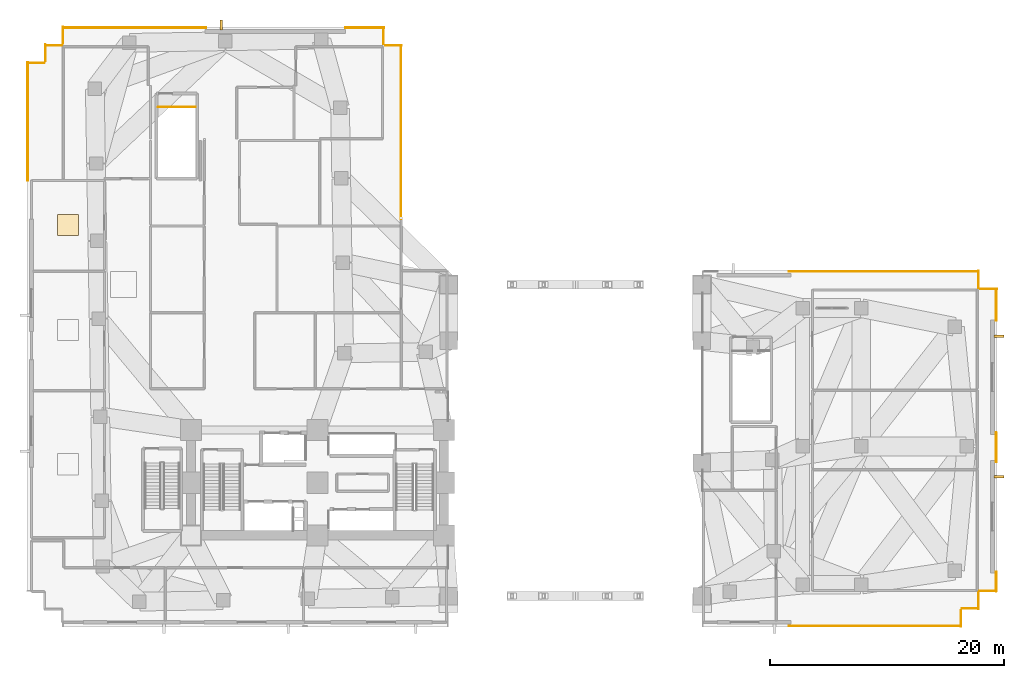
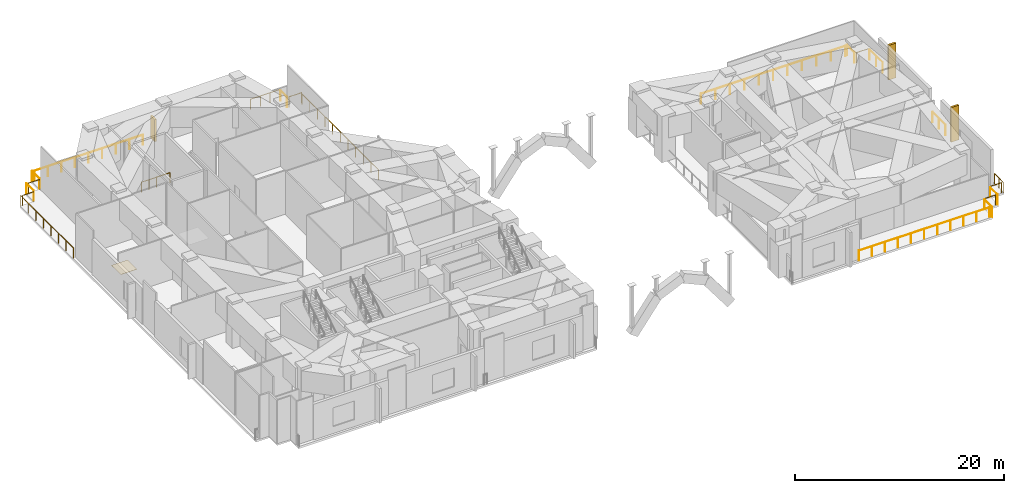
# One storey, part 15 of 15: 23 railings, 3 shading devices, 1 covering.
"""IFC4 building model written with IfcOpenShell, lengths in metres."""

from ifc_helpers import new_model, si_unit, direction, frame, origin, origin_2d, place, context, subcontext, project, spatial, rectangle, circle, extrude, material, layer, layer_set, type_object, element, save


model = new_model("IFC4")

# Units and contexts
model_context = context("Model", 3, precision=1e-05, world=origin(), true_north=direction((0.0, 1.0)))
body_context = subcontext(model_context, "Body", "Model", "MODEL_VIEW")
ifc_project = project(units=[si_unit("LENGTHUNIT", "METRE"), si_unit("AREAUNIT", "SQUARE_METRE"), si_unit("VOLUMEUNIT", "CUBIC_METRE"), si_unit("PLANEANGLEUNIT", "RADIAN"), si_unit("MASSUNIT", "GRAM", prefix="KILO")], contexts=[model_context])

# Site, building, storey
site_placement = place(None, origin())
site = spatial("IfcSite", under=ifc_project, at=site_placement, CompositionType="ELEMENT")
building_placement = place(site_placement, origin())
building = spatial("IfcBuilding", under=site, at=building_placement, Name="Gaonmaruhae Medical Tower", CompositionType="ELEMENT")
storey_placement = place(building_placement, frame((0.0, 0.0, 21.60009765625)))
storey = spatial("IfcBuildingStorey", under=building, at=storey_placement, Name="L04", CompositionType="ELEMENT", Elevation=21.60009765625)

# Covering
ifc_material_1 = material(Name="Seamless clinical vinyl flooring", Category="finish")
ifc_layer_1 = layer(ifc_material_1, 0.014892578125)
ifc_layer_set_1 = layer_set([ifc_layer_1], Name="Seamless clinical vinyl flooring")
covering_type = type_object("IfcCoveringType", Name="FLR-01 Seamless Clinical Antistatic Vinyl Flooring", PredefinedType="FLOORING", material=ifc_layer_set_1)
covering_placement = place(storey_placement, frame((3.510009765625, 34.300048828125, 0.0), z_axis=(0.0, 0.0, 1.0), x_axis=(1.0, 0.0, 0.0)))
element("IfcCovering", 1, at=covering_placement, inside=storey, type_object=covering_type, Name="L04 Clinical Room Vinyl Flooring 4", PredefinedType="FLOORING", context=body_context, shape_type="SweptSolid", body=[
    extrude(rectangle(XDim=1.800048828125, YDim=1.800048828125, at=origin_2d()), origin(), (0.0, 0.0, 1.0), 0.014892578125),
])

# Railings
ifc_material_2 = material(Name="Stainless steel 316L and laminated safety glass", Category="steel")
ifc_layer_2 = layer(ifc_material_2, 0.080078125)
ifc_layer_set_2 = layer_set([ifc_layer_2], Name="Stainless steel 316L and laminated safety glass")
railing_type_1 = type_object("IfcRailingType", Name="GD-120 Outdoor Terrace Safety Glass & Steel Balustrade", PredefinedType="BALUSTRADE", material=ifc_layer_set_2)
railing_1_placement = place(storey_placement, frame((0.070068359375, 38.07568359375, 0.0)))
element("IfcRailing", 2, at=railing_1_placement, inside=storey, type_object=railing_type_1, Name="L04 Perimeter Slab Edge Safety Balustrade 03", PredefinedType="BALUSTRADE", context=body_context, shape_type="SweptSolid", body=[
    extrude(circle(Radius=0.02392578125, at=origin_2d()), frame((0.0, 0.0, 1.17578125), z_axis=(0.0, 1.0, 0.0), x_axis=(-1.0, 0.0, 0.0)), (0.0, 0.0, 1.0), 10.104248046875),
    extrude(circle(Radius=0.02099609375, at=origin_2d()), origin(), (0.0, 0.0, 1.0), 1.15185546875),
    extrude(circle(Radius=0.02099609375, at=origin_2d()), frame((0.0, 1.443359375, 0.0)), (0.0, 0.0, 1.0), 1.15185546875),
    extrude(circle(Radius=0.02099609375, at=origin_2d()), frame((0.0, 2.886962890625, 0.0)), (0.0, 0.0, 1.0), 1.15185546875),
    extrude(circle(Radius=0.02099609375, at=origin_2d()), frame((0.0, 4.330322265625, 0.0)), (0.0, 0.0, 1.0), 1.15185546875),
    extrude(circle(Radius=0.02099609375, at=origin_2d()), frame((0.0, 5.77392578125, 0.0)), (0.0, 0.0, 1.0), 1.15185546875),
    extrude(circle(Radius=0.02099609375, at=origin_2d()), frame((0.0, 7.21728515625, 0.0)), (0.0, 0.0, 1.0), 1.15185546875),
    extrude(circle(Radius=0.02099609375, at=origin_2d()), frame((0.0, 8.660888671875, 0.0)), (0.0, 0.0, 1.0), 1.15185546875),
    extrude(circle(Radius=0.02099609375, at=origin_2d()), frame((0.0, 10.104248046875, 0.0)), (0.0, 0.0, 1.0), 1.15185546875),
])
railing_2_placement = place(storey_placement, frame((0.25341796875, 48.1298828125, 0.0)))
element("IfcRailing", 3, at=railing_2_placement, inside=storey, type_object=railing_type_1, Name="L04 Perimeter Slab Edge Safety Balustrade 04", PredefinedType="BALUSTRADE", context=body_context, shape_type="SweptSolid", body=[
    extrude(circle(Radius=0.02392578125, at=origin_2d()), frame((0.0, 0.0, 1.17578125), z_axis=(1.0, 0.0, 0.0), x_axis=(0.0, 1.0, 0.0)), (0.0, 0.0, 1.0), 1.2265625),
    extrude(circle(Radius=0.02099609375, at=origin_2d()), origin(), (0.0, 0.0, 1.0), 1.15185546875),
    extrude(circle(Radius=0.02099609375, at=origin_2d()), frame((1.2265625, 0.0, 0.0)), (0.0, 0.0, 1.0), 1.15185546875),
])
railing_3_placement = place(storey_placement, frame((1.570068359375, 48.28662109375, 0.0)))
element("IfcRailing", 4, at=railing_3_placement, inside=storey, type_object=railing_type_1, Name="L04 Perimeter Slab Edge Safety Balustrade 05", PredefinedType="BALUSTRADE", context=body_context, shape_type="SweptSolid", body=[
    extrude(circle(Radius=0.02392578125, at=origin_2d()), frame((0.0, 0.0, 1.17578125), z_axis=(0.0, 1.0, 0.0), x_axis=(-1.0, 0.0, 0.0)), (0.0, 0.0, 1.0), 1.393310546875),
    extrude(circle(Radius=0.02099609375, at=origin_2d()), origin(), (0.0, 0.0, 1.0), 1.15185546875),
    extrude(circle(Radius=0.02099609375, at=origin_2d()), frame((0.0, 1.393310546875, 0.0)), (0.0, 0.0, 1.0), 1.15185546875),
])
railing_4_placement = place(storey_placement, frame((1.75341796875, 49.6298828125, 0.0)))
element("IfcRailing", 5, at=railing_4_placement, inside=storey, type_object=railing_type_1, Name="L04 Perimeter Slab Edge Safety Balustrade 06", PredefinedType="BALUSTRADE", context=body_context, shape_type="SweptSolid", body=[
    extrude(circle(Radius=0.02392578125, at=origin_2d()), frame((0.0, 0.0, 1.17578125), z_axis=(1.0, 0.0, 0.0), x_axis=(0.0, 1.0, 0.0)), (0.0, 0.0, 1.0), 1.2265625),
    extrude(circle(Radius=0.02099609375, at=origin_2d()), origin(), (0.0, 0.0, 1.0), 1.15185546875),
    extrude(circle(Radius=0.02099609375, at=origin_2d()), frame((1.2265625, 0.0, 0.0)), (0.0, 0.0, 1.0), 1.15185546875),
])
railing_5_placement = place(storey_placement, frame((3.070068359375, 49.78662109375, 0.0)))
element("IfcRailing", 6, at=railing_5_placement, inside=storey, type_object=railing_type_1, Name="L04 Perimeter Slab Edge Safety Balustrade 07", PredefinedType="BALUSTRADE", context=body_context, shape_type="SweptSolid", body=[
    extrude(circle(Radius=0.02392578125, at=origin_2d()), frame((0.0, 0.0, 1.17578125), z_axis=(0.0, 1.0, 0.0), x_axis=(-1.0, 0.0, 0.0)), (0.0, 0.0, 1.0), 1.393310546875),
    extrude(circle(Radius=0.02099609375, at=origin_2d()), origin(), (0.0, 0.0, 1.0), 1.15185546875),
    extrude(circle(Radius=0.02099609375, at=origin_2d()), frame((0.0, 1.393310546875, 0.0)), (0.0, 0.0, 1.0), 1.15185546875),
])
railing_6_placement = place(storey_placement, frame((3.279541015625, 51.1298828125, 0.0)))
element("IfcRailing", 7, at=railing_6_placement, inside=storey, type_object=railing_type_1, Name="L04 Perimeter Slab Edge Safety Balustrade 08", PredefinedType="BALUSTRADE", context=body_context, shape_type="SweptSolid", body=[
    extrude(circle(Radius=0.02392578125, at=origin_2d()), frame((0.0, 0.0, 1.17578125), z_axis=(1.0, 0.0, 0.0), x_axis=(0.0, 1.0, 0.0)), (0.0, 0.0, 1.0), 12.022705078125),
    extrude(circle(Radius=0.02099609375, at=origin_2d()), origin(), (0.0, 0.0, 1.0), 1.15185546875),
    extrude(circle(Radius=0.02099609375, at=origin_2d()), frame((1.5029296875, 0.0, 0.0)), (0.0, 0.0, 1.0), 1.15185546875),
    extrude(circle(Radius=0.02099609375, at=origin_2d()), frame((3.005615234375, 0.0, 0.0)), (0.0, 0.0, 1.0), 1.15185546875),
    extrude(circle(Radius=0.02099609375, at=origin_2d()), frame((4.508544921875, 0.0, 0.0)), (0.0, 0.0, 1.0), 1.15185546875),
    extrude(circle(Radius=0.02099609375, at=origin_2d()), frame((6.01123046875, 0.0, 0.0)), (0.0, 0.0, 1.0), 1.15185546875),
    extrude(circle(Radius=0.02099609375, at=origin_2d()), frame((7.51416015625, 0.0, 0.0)), (0.0, 0.0, 1.0), 1.15185546875),
    extrude(circle(Radius=0.02099609375, at=origin_2d()), frame((9.01708984375, 0.0, 0.0)), (0.0, 0.0, 1.0), 1.15185546875),
    extrude(circle(Radius=0.02099609375, at=origin_2d()), frame((10.519775390625, 0.0, 0.0)), (0.0, 0.0, 1.0), 1.15185546875),
    extrude(circle(Radius=0.02099609375, at=origin_2d()), frame((12.022705078125, 0.0, 0.0)), (0.0, 0.0, 1.0), 1.15185546875),
])
railing_7_placement = place(storey_placement, frame((27.184814453125, 51.1298828125, 0.0)))
element("IfcRailing", 8, at=railing_7_placement, inside=storey, type_object=railing_type_1, Name="L04 Perimeter Slab Edge Safety Balustrade 09", PredefinedType="BALUSTRADE", context=body_context, shape_type="SweptSolid", body=[
    extrude(circle(Radius=0.02392578125, at=origin_2d()), frame((0.0, 0.0, 1.17578125), z_axis=(1.0, 0.0, 0.0), x_axis=(0.0, 1.0, 0.0)), (0.0, 0.0, 1.0), 3.295166015625),
    extrude(circle(Radius=0.02099609375, at=origin_2d()), origin(), (0.0, 0.0, 1.0), 1.15185546875),
    extrude(circle(Radius=0.02099609375, at=origin_2d()), frame((1.098388671875, 0.0, 0.0)), (0.0, 0.0, 1.0), 1.15185546875),
    extrude(circle(Radius=0.02099609375, at=origin_2d()), frame((2.19677734375, 0.0, 0.0)), (0.0, 0.0, 1.0), 1.15185546875),
    extrude(circle(Radius=0.02099609375, at=origin_2d()), frame((3.295166015625, 0.0, 0.0)), (0.0, 0.0, 1.0), 1.15185546875),
])
railing_8_placement = place(storey_placement, frame((30.429931640625, 50.94677734375, 0.0)))
element("IfcRailing", 9, at=railing_8_placement, inside=storey, type_object=railing_type_1, Name="L04 Perimeter Slab Edge Safety Balustrade 10", PredefinedType="BALUSTRADE", context=body_context, shape_type="SweptSolid", body=[
    extrude(circle(Radius=0.02392578125, at=origin_2d()), frame((0.0, 0.0, 1.17578125), z_axis=(0.0, -1.0, 0.0), x_axis=(1.0, 0.0, 0.0)), (0.0, 0.0, 1.0), 1.226806640625),
    extrude(circle(Radius=0.02099609375, at=origin_2d()), origin(), (0.0, 0.0, 1.0), 1.15185546875),
    extrude(circle(Radius=0.02099609375, at=origin_2d()), frame((0.0, -1.226806640625, 0.0)), (0.0, 0.0, 1.0), 1.15185546875),
])
railing_9_placement = place(storey_placement, frame((30.586669921875, 49.6298828125, 0.0)))
element("IfcRailing", 10, at=railing_9_placement, inside=storey, type_object=railing_type_1, Name="L04 Perimeter Slab Edge Safety Balustrade 11", PredefinedType="BALUSTRADE", context=body_context, shape_type="SweptSolid", body=[
    extrude(circle(Radius=0.02392578125, at=origin_2d()), frame((0.0, 0.0, 1.17578125), z_axis=(1.0, 0.0, 0.0), x_axis=(0.0, 1.0, 0.0)), (0.0, 0.0, 1.0), 1.393310546875),
    extrude(circle(Radius=0.02099609375, at=origin_2d()), origin(), (0.0, 0.0, 1.0), 1.15185546875),
    extrude(circle(Radius=0.02099609375, at=origin_2d()), frame((1.393310546875, 0.0, 0.0)), (0.0, 0.0, 1.0), 1.15185546875),
])
railing_10_placement = place(storey_placement, frame((31.929931640625, 49.422607421875, 0.0)))
element("IfcRailing", 11, at=railing_10_placement, inside=storey, type_object=railing_type_1, Name="L04 Perimeter Slab Edge Safety Balustrade 12", PredefinedType="BALUSTRADE", context=body_context, shape_type="SweptSolid", body=[
    extrude(circle(Radius=0.02392578125, at=origin_2d()), frame((0.0, 0.0, 1.17578125), z_axis=(0.0, -1.0, 0.0), x_axis=(1.0, 0.0, 0.0)), (0.0, 0.0, 1.0), 14.635009765625),
    extrude(circle(Radius=0.02099609375, at=origin_2d()), origin(), (0.0, 0.0, 1.0), 1.15185546875),
    extrude(circle(Radius=0.02099609375, at=origin_2d()), frame((0.0, -1.46337890625, 0.0)), (0.0, 0.0, 1.0), 1.15185546875),
    extrude(circle(Radius=0.02099609375, at=origin_2d()), frame((0.0, -2.927001953125, 0.0)), (0.0, 0.0, 1.0), 1.15185546875),
    extrude(circle(Radius=0.02099609375, at=origin_2d()), frame((0.0, -4.390625, 0.0)), (0.0, 0.0, 1.0), 1.15185546875),
    extrude(circle(Radius=0.02099609375, at=origin_2d()), frame((0.0, -5.85400390625, 0.0)), (0.0, 0.0, 1.0), 1.15185546875),
    extrude(circle(Radius=0.02099609375, at=origin_2d()), frame((0.0, -7.3173828125, 0.0)), (0.0, 0.0, 1.0), 1.15185546875),
    extrude(circle(Radius=0.02099609375, at=origin_2d()), frame((0.0, -8.781005859375, 0.0)), (0.0, 0.0, 1.0), 1.15185546875),
    extrude(circle(Radius=0.02099609375, at=origin_2d()), frame((0.0, -10.24462890625, 0.0)), (0.0, 0.0, 1.0), 1.15185546875),
    extrude(circle(Radius=0.02099609375, at=origin_2d()), frame((0.0, -11.7080078125, 0.0)), (0.0, 0.0, 1.0), 1.15185546875),
    extrude(circle(Radius=0.02099609375, at=origin_2d()), frame((0.0, -13.17138671875, 0.0)), (0.0, 0.0, 1.0), 1.15185546875),
    extrude(circle(Radius=0.02099609375, at=origin_2d()), frame((0.0, -14.635009765625, 0.0)), (0.0, 0.0, 1.0), 1.15185546875),
])
railing_11_placement = place(storey_placement, frame((81.22998046875, 30.3798828125, 0.0)))
element("IfcRailing", 12, at=railing_11_placement, inside=storey, type_object=railing_type_1, Name="L04 Perimeter Slab Edge Safety Balustrade 24", PredefinedType="BALUSTRADE", context=body_context, shape_type="SweptSolid", body=[
    extrude(circle(Radius=0.02392578125, at=origin_2d()), frame((0.0, 0.0, 1.17578125), z_axis=(0.0, -1.0, 0.0), x_axis=(1.0, 0.0, 0.0)), (0.0, 0.0, 1.0), 1.4599609375),
    extrude(circle(Radius=0.02099609375, at=origin_2d()), origin(), (0.0, 0.0, 1.0), 1.15185546875),
    extrude(circle(Radius=0.02099609375, at=origin_2d()), frame((0.0, -1.4599609375, 0.0)), (0.0, 0.0, 1.0), 1.15185546875),
])
railing_12_placement = place(storey_placement, frame((81.38671875, 28.830078125, 0.0)))
element("IfcRailing", 13, at=railing_12_placement, inside=storey, type_object=railing_type_1, Name="L04 Perimeter Slab Edge Safety Balustrade 25", PredefinedType="BALUSTRADE", context=body_context, shape_type="SweptSolid", body=[
    extrude(circle(Radius=0.02392578125, at=origin_2d()), frame((0.0, 0.0, 1.17578125), z_axis=(1.0, 0.0, 0.0), x_axis=(0.0, 1.0, 0.0)), (0.0, 0.0, 1.0), 1.393310546875),
    extrude(circle(Radius=0.02099609375, at=origin_2d()), origin(), (0.0, 0.0, 1.0), 1.15185546875),
    extrude(circle(Radius=0.02099609375, at=origin_2d()), frame((1.393310546875, 0.0, 0.0)), (0.0, 0.0, 1.0), 1.15185546875),
])
for number, where, name in (
    (14, (82.72998046875, 28.620361328125, 0.0), "L04 Perimeter Slab Edge Safety Balustrade 26"),
    (15, (82.72998046875, 16.569580078125, 0.0), "L04 Perimeter Slab Edge Safety Balustrade 27"),
):
    element("IfcRailing", number, at=place(storey_placement, frame(where)), inside=storey, type_object=railing_type_1, Name=name, PredefinedType="BALUSTRADE", context=body_context, shape_type="SweptSolid", body=[
        extrude(circle(Radius=0.02392578125, at=origin_2d()), frame((0.0, 0.0, 1.17578125), z_axis=(0.0, -1.0, 0.0), x_axis=(1.0, 0.0, 0.0)), (0.0, 0.0, 1.0), 2.498291015625),
        extrude(circle(Radius=0.02099609375, at=origin_2d()), origin(), (0.0, 0.0, 1.0), 1.15185546875),
        extrude(circle(Radius=0.02099609375, at=origin_2d()), frame((0.0, -1.2490234375, 0.0)), (0.0, 0.0, 1.0), 1.15185546875),
        extrude(circle(Radius=0.02099609375, at=origin_2d()), frame((0.0, -2.498291015625, 0.0)), (0.0, 0.0, 1.0), 1.15185546875),
    ])
railing_13_placement = place(storey_placement, frame((82.72998046875, 4.69873046875, 0.0)))
element("IfcRailing", 16, at=railing_13_placement, inside=storey, type_object=railing_type_1, Name="L04 Perimeter Slab Edge Safety Balustrade 28", PredefinedType="BALUSTRADE", context=body_context, shape_type="SweptSolid", body=[
    extrude(circle(Radius=0.02392578125, at=origin_2d()), frame((0.0, 0.0, 1.17578125), z_axis=(0.0, -1.0, 0.0), x_axis=(1.0, 0.0, 0.0)), (0.0, 0.0, 1.0), 1.6787109375),
    extrude(circle(Radius=0.02099609375, at=origin_2d()), origin(), (0.0, 0.0, 1.0), 1.15185546875),
    extrude(circle(Radius=0.02099609375, at=origin_2d()), frame((0.0, -0.83935546875, 0.0)), (0.0, 0.0, 1.0), 1.15185546875),
    extrude(circle(Radius=0.02099609375, at=origin_2d()), frame((0.0, -1.6787109375, 0.0)), (0.0, 0.0, 1.0), 1.15185546875),
])
railing_14_placement = place(storey_placement, frame((82.546630859375, 3.070068359375, 0.0)))
element("IfcRailing", 17, at=railing_14_placement, inside=storey, type_object=railing_type_1, Name="L04 Perimeter Slab Edge Safety Balustrade 29", PredefinedType="BALUSTRADE", context=body_context, shape_type="SweptSolid", body=[
    extrude(circle(Radius=0.02392578125, at=origin_2d()), frame((0.0, 0.0, 1.17578125), z_axis=(-1.0, 0.0, 0.0), x_axis=(0.0, -1.0, 0.0)), (0.0, 0.0, 1.0), 1.2265625),
    extrude(circle(Radius=0.02099609375, at=origin_2d()), origin(), (0.0, 0.0, 1.0), 1.15185546875),
    extrude(circle(Radius=0.02099609375, at=origin_2d()), frame((-1.2265625, 0.0, 0.0)), (0.0, 0.0, 1.0), 1.15185546875),
])
railing_15_placement = place(storey_placement, frame((81.22998046875, 2.913330078125, 0.0)))
element("IfcRailing", 18, at=railing_15_placement, inside=storey, type_object=railing_type_1, Name="L04 Perimeter Slab Edge Safety Balustrade 30", PredefinedType="BALUSTRADE", context=body_context, shape_type="SweptSolid", body=[
    extrude(circle(Radius=0.02392578125, at=origin_2d()), frame((0.0, 0.0, 1.17578125), z_axis=(0.0, -1.0, 0.0), x_axis=(1.0, 0.0, 0.0)), (0.0, 0.0, 1.0), 1.393310546875),
    extrude(circle(Radius=0.02099609375, at=origin_2d()), origin(), (0.0, 0.0, 1.0), 1.15185546875),
    extrude(circle(Radius=0.02099609375, at=origin_2d()), frame((0.0, -1.393310546875, 0.0)), (0.0, 0.0, 1.0), 1.15185546875),
])
railing_16_placement = place(storey_placement, frame((81.046630859375, 1.570068359375, 0.0)))
element("IfcRailing", 19, at=railing_16_placement, inside=storey, type_object=railing_type_1, Name="L04 Perimeter Slab Edge Safety Balustrade 31", PredefinedType="BALUSTRADE", context=body_context, shape_type="SweptSolid", body=[
    extrude(circle(Radius=0.02392578125, at=origin_2d()), frame((0.0, 0.0, 1.17578125), z_axis=(-1.0, 0.0, 0.0), x_axis=(0.0, -1.0, 0.0)), (0.0, 0.0, 1.0), 1.2265625),
    extrude(circle(Radius=0.02099609375, at=origin_2d()), origin(), (0.0, 0.0, 1.0), 1.15185546875),
    extrude(circle(Radius=0.02099609375, at=origin_2d()), frame((-1.2265625, 0.0, 0.0)), (0.0, 0.0, 1.0), 1.15185546875),
])
railing_17_placement = place(storey_placement, frame((79.72998046875, 1.413330078125, 0.0)))
element("IfcRailing", 20, at=railing_17_placement, inside=storey, type_object=railing_type_1, Name="L04 Perimeter Slab Edge Safety Balustrade 32", PredefinedType="BALUSTRADE", context=body_context, shape_type="SweptSolid", body=[
    extrude(circle(Radius=0.02392578125, at=origin_2d()), frame((0.0, 0.0, 1.17578125), z_axis=(0.0, -1.0, 0.0), x_axis=(1.0, 0.0, 0.0)), (0.0, 0.0, 1.0), 1.393310546875),
    extrude(circle(Radius=0.02099609375, at=origin_2d()), origin(), (0.0, 0.0, 1.0), 1.15185546875),
    extrude(circle(Radius=0.02099609375, at=origin_2d()), frame((0.0, -1.393310546875, 0.0)), (0.0, 0.0, 1.0), 1.15185546875),
])
railing_18_placement = place(storey_placement, frame((79.52197265625, 0.070068359375, 0.0)))
element("IfcRailing", 21, at=railing_18_placement, inside=storey, type_object=railing_type_1, Name="L04 Perimeter Slab Edge Safety Balustrade 33", PredefinedType="BALUSTRADE", context=body_context, shape_type="SweptSolid", body=[
    extrude(circle(Radius=0.02392578125, at=origin_2d()), frame((0.0, 0.0, 1.17578125), z_axis=(-1.0, 0.0, 0.0), x_axis=(0.0, -1.0, 0.0)), (0.0, 0.0, 1.0), 14.482666015625),
    extrude(circle(Radius=0.02099609375, at=origin_2d()), origin(), (0.0, 0.0, 1.0), 1.15185546875),
    extrude(circle(Radius=0.02099609375, at=origin_2d()), frame((-1.4482421875, 0.0, 0.0)), (0.0, 0.0, 1.0), 1.15185546875),
    extrude(circle(Radius=0.02099609375, at=origin_2d()), frame((-2.896484375, 0.0, 0.0)), (0.0, 0.0, 1.0), 1.15185546875),
    extrude(circle(Radius=0.02099609375, at=origin_2d()), frame((-4.3447265625, 0.0, 0.0)), (0.0, 0.0, 1.0), 1.15185546875),
    extrude(circle(Radius=0.02099609375, at=origin_2d()), frame((-5.79296875, 0.0, 0.0)), (0.0, 0.0, 1.0), 1.15185546875),
    extrude(circle(Radius=0.02099609375, at=origin_2d()), frame((-7.2412109375, 0.0, 0.0)), (0.0, 0.0, 1.0), 1.15185546875),
    extrude(circle(Radius=0.02099609375, at=origin_2d()), frame((-8.689697265625, 0.0, 0.0)), (0.0, 0.0, 1.0), 1.15185546875),
    extrude(circle(Radius=0.02099609375, at=origin_2d()), frame((-10.137939453125, 0.0, 0.0)), (0.0, 0.0, 1.0), 1.15185546875),
    extrude(circle(Radius=0.02099609375, at=origin_2d()), frame((-11.586181640625, 0.0, 0.0)), (0.0, 0.0, 1.0), 1.15185546875),
    extrude(circle(Radius=0.02099609375, at=origin_2d()), frame((-13.034423828125, 0.0, 0.0)), (0.0, 0.0, 1.0), 1.15185546875),
    extrude(circle(Radius=0.02099609375, at=origin_2d()), frame((-14.482666015625, 0.0, 0.0)), (0.0, 0.0, 1.0), 1.15185546875),
])
railing_19_placement = place(storey_placement, frame((65.060791015625, 30.330078125, 0.0)))
element("IfcRailing", 22, at=railing_19_placement, inside=storey, type_object=railing_type_1, Name="L04 Perimeter Slab Edge Safety Balustrade 40", PredefinedType="BALUSTRADE", context=body_context, shape_type="SweptSolid", body=[
    extrude(circle(Radius=0.02392578125, at=origin_2d()), frame((0.0, 0.0, 1.17578125), z_axis=(1.0, 0.0, 0.0), x_axis=(0.0, 1.0, 0.0)), (0.0, 0.0, 1.0), 15.960205078125),
    extrude(circle(Radius=0.02099609375, at=origin_2d()), origin(), (0.0, 0.0, 1.0), 1.15185546875),
    extrude(circle(Radius=0.02099609375, at=origin_2d()), frame((1.595947265625, 0.0, 0.0)), (0.0, 0.0, 1.0), 1.15185546875),
    extrude(circle(Radius=0.02099609375, at=origin_2d()), frame((3.192138671875, 0.0, 0.0)), (0.0, 0.0, 1.0), 1.15185546875),
    extrude(circle(Radius=0.02099609375, at=origin_2d()), frame((4.7880859375, 0.0, 0.0)), (0.0, 0.0, 1.0), 1.15185546875),
    extrude(circle(Radius=0.02099609375, at=origin_2d()), frame((6.384033203125, 0.0, 0.0)), (0.0, 0.0, 1.0), 1.15185546875),
    extrude(circle(Radius=0.02099609375, at=origin_2d()), frame((7.97998046875, 0.0, 0.0)), (0.0, 0.0, 1.0), 1.15185546875),
    extrude(circle(Radius=0.02099609375, at=origin_2d()), frame((9.576171875, 0.0, 0.0)), (0.0, 0.0, 1.0), 1.15185546875),
    extrude(circle(Radius=0.02099609375, at=origin_2d()), frame((11.172119140625, 0.0, 0.0)), (0.0, 0.0, 1.0), 1.15185546875),
    extrude(circle(Radius=0.02099609375, at=origin_2d()), frame((12.76806640625, 0.0, 0.0)), (0.0, 0.0, 1.0), 1.15185546875),
    extrude(circle(Radius=0.02099609375, at=origin_2d()), frame((14.3642578125, 0.0, 0.0)), (0.0, 0.0, 1.0), 1.15185546875),
    extrude(circle(Radius=0.02099609375, at=origin_2d()), frame((15.960205078125, 0.0, 0.0)), (0.0, 0.0, 1.0), 1.15185546875),
])

# Shading devices
ifc_material_3 = material(Name="Pigmented coral precast concrete C45/55", Category="concrete")
shading_device_type = type_object("IfcShadingDeviceType", Name="SD-FIN2 Podium Vertical Coral Precast Shading Fin", PredefinedType="USERDEFINED", material=ifc_material_3)
for number, where, z_axis, x_axis, name in (
    (23, (82.965087890625, 12.800048828125, 0.059814453125), (0.0, 0.0, 1.0), (0.0, -1.0, 0.0), "L04 Podium Coral Precast Shading Fin PB-E1"),
    (24, (82.965087890625, 24.800048828125, 0.059814453125), (0.0, 0.0, 1.0), (0.0, -1.0, 0.0), "L04 Podium Coral Precast Shading Fin PB-E2"),
):
    element("IfcShadingDevice", number, at=place(storey_placement, frame(where, z_axis=z_axis, x_axis=x_axis)), inside=storey, type_object=shading_device_type, Name=name, ObjectType="FIN", PredefinedType="USERDEFINED", context=body_context, shape_type="SweptSolid", body=[
        extrude(rectangle(XDim=0.219970703125, YDim=0.85009765625, at=origin_2d()), origin(), (0.0, 0.0, 1.0), 4.06005859375),
    ])
shading_device_placement = place(storey_placement, frame((16.60009765625, 51.364990234375, 0.059814453125), z_axis=(0.0, 0.0, 1.0), x_axis=(1.0, 0.0, 0.0)))
element("IfcShadingDevice", 25, at=shading_device_placement, inside=storey, type_object=shading_device_type, Name="L04 Podium Coral Precast Shading Fin PB-N2", ObjectType="FIN", PredefinedType="USERDEFINED", context=body_context, shape_type="SweptSolid", body=[
    extrude(rectangle(XDim=0.219970703125, YDim=0.85009765625, at=origin_2d()), origin(), (0.0, 0.0, 1.0), 2.56494140625),
])

# Railings
ifc_material_4 = material(Name="Stainless steel 304 balustrade", Category="steel")
railing_type_2 = type_object("IfcRailingType", Name="SG-112 Stair Well & Ramp Void Safety Balustrade", PredefinedType="BALUSTRADE", material=ifc_material_4)
railing_20_placement = place(storey_placement, frame((11.199951171875, 44.35009765625, 0.0)))
element("IfcRailing", 26, at=railing_20_placement, inside=storey, type_object=railing_type_2, Name="L04 ST-05 top well guard 1", PredefinedType="BALUSTRADE", context=body_context, shape_type="SweptSolid", body=[
    extrude(circle(Radius=0.02392578125, at=origin_2d()), frame((0.0, 0.0, 1.17578125), z_axis=(1.0, 0.0, 0.0), x_axis=(0.0, 1.0, 0.0)), (0.0, 0.0, 1.0), 1.699951171875),
    extrude(circle(Radius=0.02099609375, at=origin_2d()), origin(), (0.0, 0.0, 1.0), 1.15185546875),
    extrude(circle(Radius=0.02099609375, at=origin_2d()), frame((0.85009765625, 0.0, 0.0)), (0.0, 0.0, 1.0), 1.15185546875),
    extrude(circle(Radius=0.02099609375, at=origin_2d()), frame((1.699951171875, 0.0, 0.0)), (0.0, 0.0, 1.0), 1.15185546875),
])
railing_21_placement = place(storey_placement, frame((12.897705078125, 44.360107421875, 0.0)))
element("IfcRailing", 27, at=railing_21_placement, inside=storey, type_object=railing_type_2, Name="L04 Shaft Edge Safety Guard 19", PredefinedType="BALUSTRADE", context=body_context, shape_type="SweptSolid", body=[
    extrude(circle(Radius=0.02392578125, at=origin_2d()), frame((0.0, 0.0, 1.17578125), z_axis=(1.0, 0.0, 0.0), x_axis=(0.0, 1.0, 0.0)), (0.0, 0.0, 1.0), 1.482177734375),
    extrude(circle(Radius=0.02099609375, at=origin_2d()), origin(), (0.0, 0.0, 1.0), 1.15185546875),
    extrude(circle(Radius=0.02099609375, at=origin_2d()), frame((1.482177734375, 0.0, 0.0)), (0.0, 0.0, 1.0), 1.15185546875),
])

save(model, "model.ifc")
